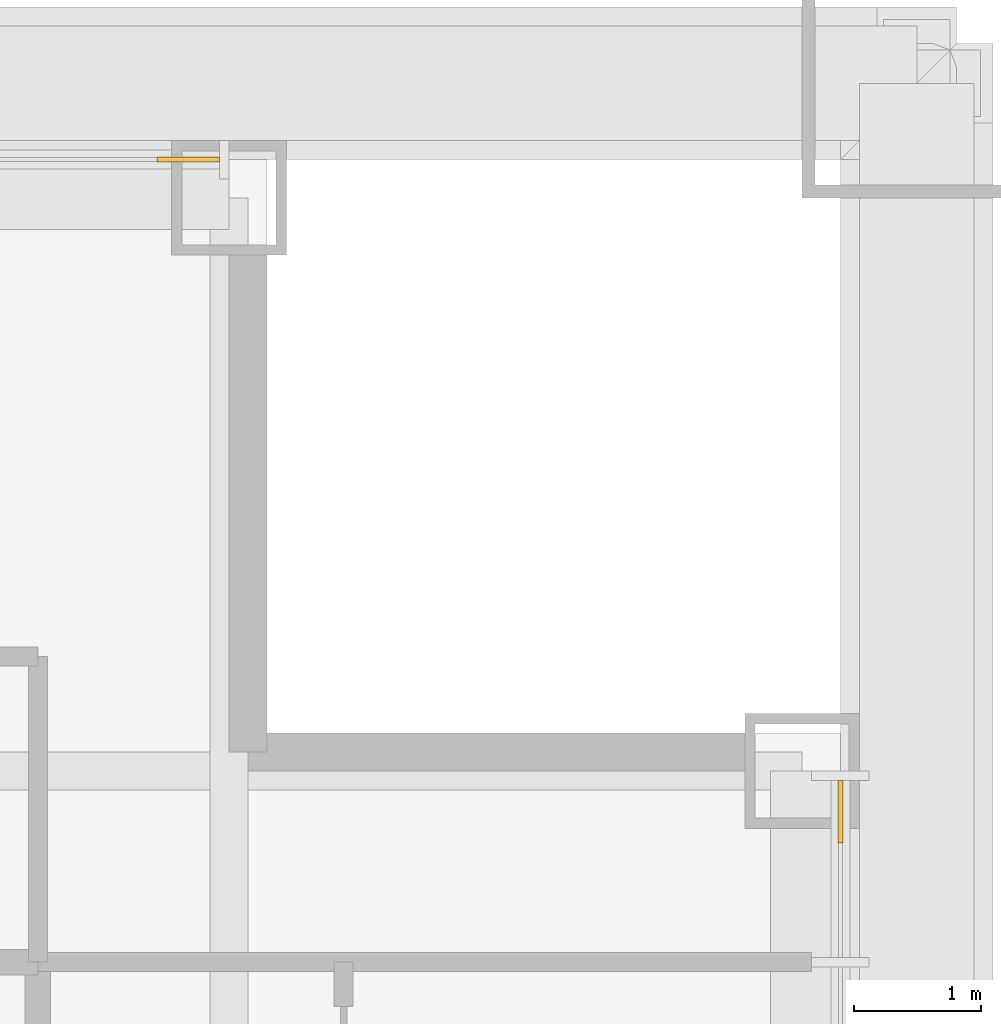
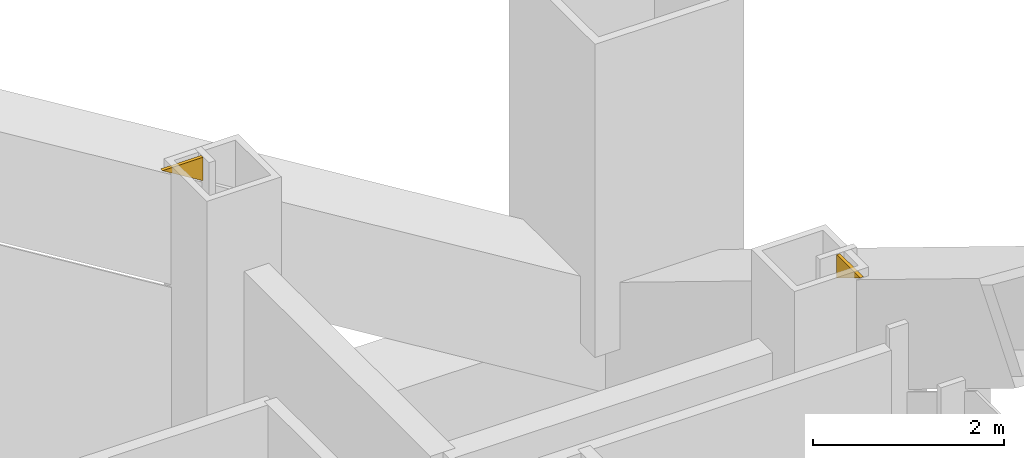
# One storey, part 21 of 21: 2 coverings.
"""IFC4 building model written with IfcOpenShell, lengths in metres."""

from ifc_helpers import new_model, si_unit, direction, frame, origin, place, context, subcontext, project, spatial, polyline, outline, extrude, material, layer, layer_set, type_object, element, save


model = new_model("IFC4")

# Units and contexts
model_context = context("Model", 3, precision=1e-05, world=origin(), true_north=direction((0.0, 1.0)))
body_context = subcontext(model_context, "Body", "Model", "MODEL_VIEW")
ifc_project = project(units=[si_unit("LENGTHUNIT", "METRE"), si_unit("AREAUNIT", "SQUARE_METRE"), si_unit("VOLUMEUNIT", "CUBIC_METRE"), si_unit("PLANEANGLEUNIT", "RADIAN"), si_unit("MASSUNIT", "GRAM", prefix="KILO")], contexts=[model_context])

# Site, building, storey
site_placement = place(None, origin())
site = spatial("IfcSite", under=ifc_project, at=site_placement, CompositionType="ELEMENT")
building_placement = place(site_placement, origin())
building = spatial("IfcBuilding", under=site, at=building_placement, Name="Malebo Sky Hospital", CompositionType="ELEMENT")
storey_placement = place(building_placement, frame((0.0, 0.0, 63.0)))
storey = spatial("IfcBuildingStorey", under=building, at=storey_placement, Name="L14", CompositionType="ELEMENT", Elevation=63.0)

# Coverings
ifc_material = material(Name="Anodised aluminium, natural silver insulated infill panel", Category="aluminium")
ifc_layer = layer(ifc_material, 0.0400390625)
ifc_layer_set = layer_set([ifc_layer], Name="BRACE INFILL PANEL 40")
covering_type = type_object("IfcCoveringType", Name="BRACE INFILL PANEL 40", PredefinedType="CLADDING", material=ifc_layer_set)
covering_1_placement = place(storey_placement, frame((80.38037109375, 87.5, 3.690185546875), z_axis=(0.0, 0.0, 1.0), x_axis=(1.0, 0.0, 0.0)))
element("IfcCovering", 1, at=covering_1_placement, inside=storey, type_object=covering_type, Name="Brace infill panel 15.1", PredefinedType="CLADDING", context=body_context, shape_type="SweptSolid", body=[
    extrude(outline(polyline([(0.244384765625, 0.0), (0.244384765625, 0.2998046875), (-0.24462890625, 0.2998046875), (0.244384765625, 0.0)])), frame((0.0, 0.02001953125, 0.0), z_axis=(0.0, -1.0, 0.0), x_axis=(1.0, 0.0, 0.0)), (0.0, 0.0, 1.0), 0.0400390625),
])
covering_2_placement = place(storey_placement, frame((85.5, 82.38037109375, 3.690185546875), z_axis=(0.0, 0.0, 1.0), x_axis=(0.0, -1.0, 0.0)))
element("IfcCovering", 2, at=covering_2_placement, inside=storey, type_object=covering_type, Name="Brace infill panel 1.1", PredefinedType="CLADDING", context=body_context, shape_type="SweptSolid", body=[
    extrude(outline(polyline([(-0.24462890625, 0.0), (0.244384765625, 0.2998046875), (-0.24462890625, 0.2998046875), (-0.24462890625, 0.0)])), frame((0.0, 0.02001953125, 0.0), z_axis=(0.0, -1.0, 0.0), x_axis=(1.0, 0.0, 0.0)), (0.0, 0.0, 1.0), 0.0400390625),
])

save(model, "model.ifc")
